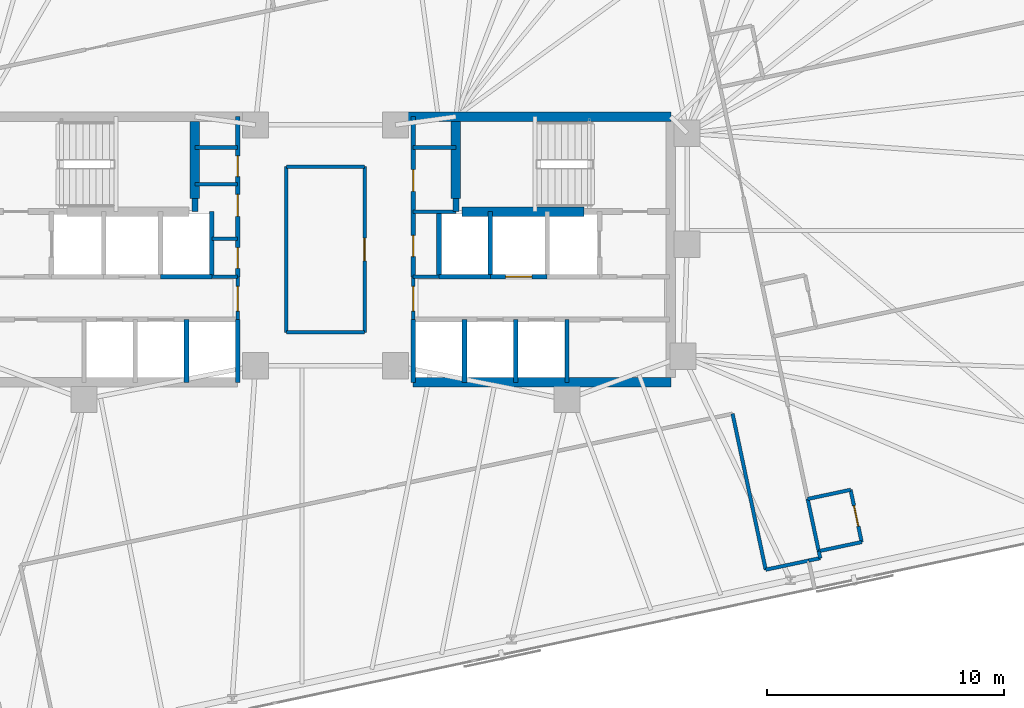
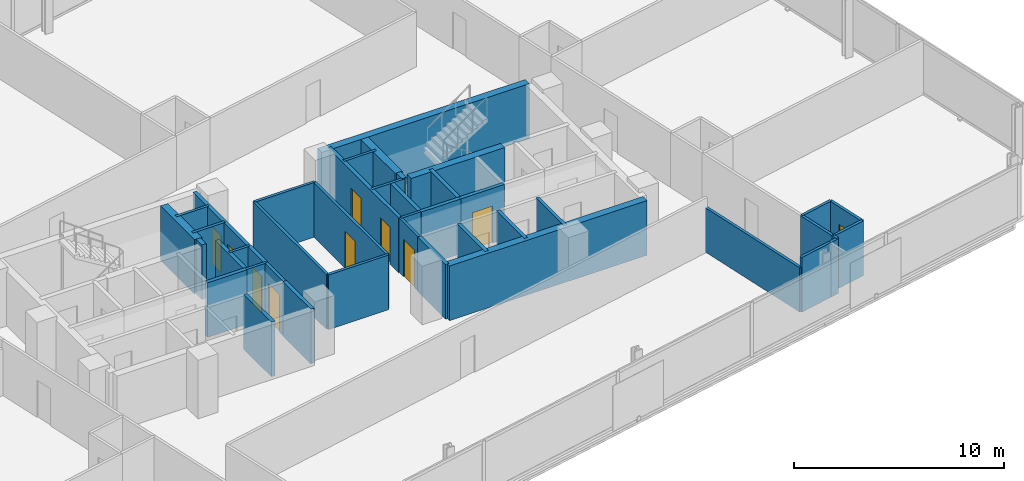
# One storey, part 15 of 19: 42 walls, 10 doors, 10 openings.
"""IFC4 building model written with IfcOpenShell, lengths in metres."""

from ifc_helpers import new_model, si_unit, direction, frame, frame_2d, origin, place, context, subcontext, project, spatial, rectangle, extrude, material, layer, layer_set, type_object, element, fill, save


model = new_model("IFC4")

# Units and contexts
model_context = context("Model", 3, precision=1e-05, world=origin(), true_north=direction((0.0, 1.0)))
body_context = subcontext(model_context, "Body", "Model", "MODEL_VIEW")
ifc_project = project(units=[si_unit("LENGTHUNIT", "METRE"), si_unit("AREAUNIT", "SQUARE_METRE"), si_unit("VOLUMEUNIT", "CUBIC_METRE"), si_unit("PLANEANGLEUNIT", "RADIAN"), si_unit("MASSUNIT", "GRAM", prefix="KILO")], contexts=[model_context])

# Site, building, storey
site_placement = place(None, origin())
site = spatial("IfcSite", under=ifc_project, at=site_placement, CompositionType="ELEMENT")
building_placement = place(site_placement, origin())
building = spatial("IfcBuilding", under=site, at=building_placement, Name="Menara Jurai Vektor", CompositionType="ELEMENT")
storey_placement = place(building_placement, frame((0.0, 0.0, 151.39990234375)))
storey = spatial("IfcBuildingStorey", under=building, at=storey_placement, Name="L38", CompositionType="ELEMENT", Elevation=151.39990234375)

# Walls
ifc_material_1 = material(Name="Concrete C40/50", Category="concrete")
ifc_layer_1 = layer(ifc_material_1, 0.25)
ifc_layer_set_1 = layer_set([ifc_layer_1], Name="Concrete C40/50")
wall_type_1 = type_object("IfcWallType", Name="INT-WALL-CORE-250", PredefinedType="STANDARD", material=ifc_layer_set_1)
for number, where, z_axis, x_axis, name in (
    (1, (-5.5, 1.60009765625, 0.0), (0.0, 0.0, 1.0), (0.0, 1.0, 0.0), "Interior Wall IW-250 L38"),
    (2, (5.5, 1.60009765625, 0.0), (0.0, 0.0, 1.0), (0.0, 1.0, 0.0), "Interior Wall IW-250 L38"),
):
    element("IfcWall", number, at=place(storey_placement, frame(where, z_axis=z_axis, x_axis=x_axis)), inside=storey, type_object=wall_type_1, Name=name, PredefinedType="STANDARD", context=body_context, shape_type="SweptSolid", body=[
        extrude(rectangle(XDim=0.5498046875, YDim=0.25, at=frame_2d((0.27490234375, 0.0))), origin(), (0.0, 0.0, 1.0), 3.175048828125),
    ])

# Wall, opening, door
ifc_material_2 = material(Name="Gypsum Fireboard Partition", Category="gypsum")
ifc_layer_2 = layer(ifc_material_2, 0.14990234375)
ifc_layer_set_2 = layer_set([ifc_layer_2], Name="Gypsum Fireboard Partition")
wall_type_2 = type_object("IfcWallType", Name="INT-WALL-CORR-150", PredefinedType="PARTITIONING", material=ifc_layer_set_2)
wall_1_placement = place(storey_placement, frame((-3.699951171875, -2.949951171875, 0.0), z_axis=(0.0, 0.0, 1.0), x_axis=(0.0, 1.0, 0.0)))
wall_1 = element("IfcWall", 3, at=wall_1_placement, inside=storey, type_object=wall_type_2, Name="Interior Wall IW-150 L38", PredefinedType="PARTITIONING", context=body_context, shape_type="SweptSolid", body=[
    extrude(rectangle(XDim=1.800048828125, YDim=0.14990234375, at=frame_2d((0.89990234375, 0.0))), origin(), (0.0, 0.0, 1.0), 3.175048828125),
])
opening_1_placement = place(wall_1_placement, frame((0.35009765625, 0.0, 0.0)))
opening_1 = element("IfcOpeningElement", 4, at=opening_1_placement, cuts=wall_1, Name="Opening D-L38-LLW", PredefinedType="OPENING", context=body_context, shape_type="SweptSolid", body=[
    extrude(rectangle(XDim=1.050048828125, YDim=2.179931640625, at=frame_2d((0.52490234375, 1.08984375))), frame((0.0, 0.0849609375, 0.0), z_axis=(0.0, -1.0, 0.0), x_axis=(1.0, 0.0, 0.0)), (0.0, 0.0, 1.0), 0.169921875),
])
ifc_material_3 = material(Name="Fire-Rated Timber Door", Category="wood")
door_type_1 = type_object("IfcDoorType", Name="DR-LOBBY-1050", OperationType="NOTDEFINED", PredefinedType="DOOR", material=ifc_material_3)
door_1_placement = place(opening_1_placement, origin())
door_1 = element("IfcDoor", 5, at=door_1_placement, inside=storey, type_object=door_type_1, Name="Lift Lobby Corridor Door W L38", OperationType="SINGLE_SWING_LEFT", OverallHeight=2.179931640625, OverallWidth=1.050048828125, PredefinedType="DOOR", context=body_context, shape_type="SweptSolid", body=[
    extrude(rectangle(XDim=1.050048828125, YDim=2.179931640625, at=frame_2d((0.52490234375, 1.08984375))), frame((0.0, 0.02490234375, 0.0), z_axis=(0.0, -1.0, 0.0), x_axis=(1.0, 0.0, 0.0)), (0.0, 0.0, 1.0), 0.050048828125),
])
fill(opening_1, door_1)

# Wall
wall_2_placement = place(storey_placement, frame((-4.7900390625, -1.14990234375, 0.0), z_axis=(0.0, 0.0, 1.0), x_axis=(1.0, 0.0, 0.0)))
element("IfcWall", 6, at=wall_2_placement, inside=storey, type_object=wall_type_2, Name="Interior Wall IW-150 L38", PredefinedType="PARTITIONING", context=body_context, shape_type="SweptSolid", body=[
    extrude(rectangle(XDim=1.090087890625, YDim=0.14990234375, at=frame_2d((0.544921875, 0.0))), origin(), (0.0, 0.0, 1.0), 3.175048828125),
])

# Wall, opening, door
wall_3_placement = place(storey_placement, frame((3.699951171875, -2.949951171875, 0.0), z_axis=(0.0, 0.0, 1.0), x_axis=(0.0, 1.0, 0.0)))
wall_3 = element("IfcWall", 7, at=wall_3_placement, inside=storey, type_object=wall_type_2, Name="Interior Wall IW-150 L38", PredefinedType="PARTITIONING", context=body_context, shape_type="SweptSolid", body=[
    extrude(rectangle(XDim=1.800048828125, YDim=0.14990234375, at=frame_2d((0.89990234375, 0.0))), origin(), (0.0, 0.0, 1.0), 3.175048828125),
])
opening_2_placement = place(wall_3_placement, frame((0.35009765625, 0.0, 0.0)))
opening_2 = element("IfcOpeningElement", 8, at=opening_2_placement, cuts=wall_3, Name="Opening D-L38-LLE", PredefinedType="OPENING", context=body_context, shape_type="SweptSolid", body=[
    extrude(rectangle(XDim=1.050048828125, YDim=2.179931640625, at=frame_2d((0.52490234375, 1.08984375))), frame((0.0, 0.0849609375, 0.0), z_axis=(0.0, -1.0, 0.0), x_axis=(1.0, 0.0, 0.0)), (0.0, 0.0, 1.0), 0.169921875),
])
door_2_placement = place(opening_2_placement, frame((1.050048828125, 0.0, 0.0), z_axis=(0.0, 0.0, 1.0), x_axis=(-1.0, 0.0, 0.0)))
door_2 = element("IfcDoor", 9, at=door_2_placement, inside=storey, type_object=door_type_1, Name="Lift Lobby Corridor Door E L38", OperationType="SINGLE_SWING_RIGHT", OverallHeight=2.179931640625, OverallWidth=1.050048828125, PredefinedType="DOOR", context=body_context, shape_type="SweptSolid", body=[
    extrude(rectangle(XDim=1.050048828125, YDim=2.179931640625, at=frame_2d((0.52490234375, 1.08984375))), frame((0.0, 0.02490234375, 0.0), z_axis=(0.0, -1.0, 0.0), x_axis=(1.0, 0.0, 0.0)), (0.0, 0.0, 1.0), 0.050048828125),
])
fill(opening_2, door_2)

# Walls
wall_4_placement = place(storey_placement, frame((3.699951171875, -1.14990234375, 0.0), z_axis=(0.0, 0.0, 1.0), x_axis=(1.0, 0.0, 0.0)))
element("IfcWall", 10, at=wall_4_placement, inside=storey, type_object=wall_type_2, Name="Interior Wall IW-150 L38", PredefinedType="PARTITIONING", context=body_context, shape_type="SweptSolid", body=[
    extrude(rectangle(XDim=1.090087890625, YDim=0.14990234375, at=frame_2d((0.544921875, 0.0))), origin(), (0.0, 0.0, 1.0), 3.175048828125),
])
wall_5_placement = place(storey_placement, frame((-5.5, 4.300048828125, 0.0), z_axis=(0.0, 0.0, 1.0), x_axis=(1.0, 0.0, 0.0)))
element("IfcWall", 11, at=wall_5_placement, inside=storey, type_object=wall_type_2, Name="Interior Wall IW-150 L38", PredefinedType="PARTITIONING", context=body_context, shape_type="SweptSolid", body=[
    extrude(rectangle(XDim=1.800048828125, YDim=0.14990234375, at=frame_2d((0.89990234375, 0.0))), origin(), (0.0, 0.0, 1.0), 3.175048828125),
])
wall_6_placement = place(storey_placement, frame((-4.7900390625, 0.449951171875, 0.0), z_axis=(0.0, 0.0, 1.0), x_axis=(1.0, 0.0, 0.0)))
element("IfcWall", 12, at=wall_6_placement, inside=storey, type_object=wall_type_2, Name="Interior Wall IW-150 L38", PredefinedType="PARTITIONING", context=body_context, shape_type="SweptSolid", body=[
    extrude(rectangle(XDim=1.090087890625, YDim=0.14990234375, at=frame_2d((0.544921875, 0.0))), origin(), (0.0, 0.0, 1.0), 3.175048828125),
])
for number, where, z_axis, x_axis, name in (
    (13, (-5.5, 2.75, 0.0), (0.0, 0.0, 1.0), (1.0, 0.0, 0.0), "Interior Wall IW-150 L38"),
    (14, (3.699951171875, 4.300048828125, 0.0), (0.0, 0.0, 1.0), (1.0, 0.0, 0.0), "Interior Wall IW-150 L38"),
    (15, (3.699951171875, 1.60009765625, 0.0), (0.0, 0.0, 1.0), (1.0, 0.0, 0.0), "Interior Wall IW-150 L38"),
):
    element("IfcWall", number, at=place(storey_placement, frame(where, z_axis=z_axis, x_axis=x_axis)), inside=storey, type_object=wall_type_2, Name=name, PredefinedType="PARTITIONING", context=body_context, shape_type="SweptSolid", body=[
        extrude(rectangle(XDim=1.800048828125, YDim=0.14990234375, at=frame_2d((0.89990234375, 0.0))), origin(), (0.0, 0.0, 1.0), 3.175048828125),
    ])
wall_7_placement = place(storey_placement, frame((-1.64990234375, -3.489501953125, 0.0), z_axis=(0.0, 0.0, 1.0), x_axis=(-3.4979712e-05, 0.999999999388, 0.0)))
element("IfcWall", 16, at=wall_7_placement, inside=storey, type_object=wall_type_2, Name="Interior Wall IW-150 L38", PredefinedType="PARTITIONING", context=body_context, shape_type="SweptSolid", body=[
    extrude(rectangle(XDim=6.9794921875, YDim=0.14990234375, at=frame_2d((3.48974609375, 0.0))), origin(), (0.0, 0.0, 1.0), 3.175048828125),
])
wall_8_placement = place(storey_placement, frame((-1.64990234375, -3.489501953125, 0.0), z_axis=(0.0, 0.0, 1.0), x_axis=(0.999999975374, -0.000221926315, 0.0)))
element("IfcWall", 17, at=wall_8_placement, inside=storey, type_object=wall_type_2, Name="Interior Wall IW-150 L38", PredefinedType="PARTITIONING", context=body_context, shape_type="SweptSolid", body=[
    extrude(rectangle(XDim=3.30029296875, YDim=0.14990234375, at=frame_2d((1.650146484375, 0.0))), origin(), (0.0, 0.0, 1.0), 3.175048828125),
])
wall_9_placement = place(storey_placement, frame((-1.650146484375, 3.489990234375, 0.0), z_axis=(0.0, 0.0, 1.0), x_axis=(1.0, 0.0, 0.0)))
element("IfcWall", 18, at=wall_9_placement, inside=storey, type_object=wall_type_2, Name="Interior Wall IW-150 L38", PredefinedType="PARTITIONING", context=body_context, shape_type="SweptSolid", body=[
    extrude(rectangle(XDim=3.300048828125, YDim=0.14990234375, at=frame_2d((1.64990234375, 0.0))), origin(), (0.0, 0.0, 1.0), 3.175048828125),
])

# Wall, opening, door
wall_10_placement = place(storey_placement, frame((1.650390625, -3.490234375, 0.0), z_axis=(0.0, 0.0, 1.0), x_axis=(-6.9952083e-05, 0.999999997553, 0.0)))
wall_10 = element("IfcWall", 19, at=wall_10_placement, inside=storey, type_object=wall_type_2, Name="Interior Wall IW-150 L38", PredefinedType="PARTITIONING", context=body_context, shape_type="SweptSolid", body=[
    extrude(rectangle(XDim=6.980224609375, YDim=0.14990234375, at=frame_2d((3.490234375, 0.0))), origin(), (0.0, 0.0, 1.0), 3.175048828125),
])
opening_3_placement = place(wall_10_placement, frame((3.01513671875, 0.0, 0.0)))
opening_3 = element("IfcOpeningElement", 20, at=opening_3_placement, cuts=wall_10, Name="Opening D38-08", PredefinedType="OPENING", context=body_context, shape_type="SweptSolid", body=[
    extrude(rectangle(XDim=0.949951171875, YDim=2.14990234375, at=frame_2d((0.47509765625, 1.074951171875))), frame((0.0, 0.0849609375, 0.0), z_axis=(0.0, -1.0, 0.0), x_axis=(1.0, 0.0, 0.0)), (0.0, 0.0, 1.0), 0.169921875),
])
ifc_material_4 = material(Name="Solid Core Timber Fire Door", Category="wood")
door_type_2 = type_object("IfcDoorType", Name="DR-ENTRY-950", OperationType="NOTDEFINED", PredefinedType="DOOR", material=ifc_material_4)
door_3_placement = place(opening_3_placement, origin())
door_3 = element("IfcDoor", 21, at=door_3_placement, inside=storey, type_object=door_type_2, Name="Interior Door D38-08", OperationType="SINGLE_SWING_LEFT", OverallHeight=2.14990234375, OverallWidth=0.949951171875, PredefinedType="DOOR", context=body_context, shape_type="SweptSolid", body=[
    extrude(rectangle(XDim=0.949951171875, YDim=2.14990234375, at=frame_2d((0.47509765625, 1.074951171875))), frame((0.0, 0.02490234375, 0.0), z_axis=(0.0, -1.0, 0.0), x_axis=(1.0, 0.0, 0.0)), (0.0, 0.0, 1.0), 0.050048828125),
])
fill(opening_3, door_3)

# Walls
wall_11_placement = place(storey_placement, frame((18.5595703125, -13.498291015625, 0.0), z_axis=(0.0, 0.0, 1.0), x_axis=(0.978160192495, 0.207852442415, 0.0)))
element("IfcWall", 22, at=wall_11_placement, inside=storey, type_object=wall_type_2, Name="Interior Wall IW-150 L38", PredefinedType="PARTITIONING", context=body_context, shape_type="SweptSolid", body=[
    extrude(rectangle(XDim=1.849853515625, YDim=0.14990234375, at=frame_2d((0.9248046875, 0.0))), origin(), (0.0, 0.0, 1.0), 3.175048828125),
])
wall_12_placement = place(storey_placement, frame((20.369140625, -13.11376953125, 0.0), z_axis=(0.0, 0.0, 1.0), x_axis=(0.978143962546, 0.207928806409, 0.0)))
element("IfcWall", 23, at=wall_12_placement, inside=storey, type_object=wall_type_2, Name="Interior Wall IW-150 L38", PredefinedType="PARTITIONING", context=body_context, shape_type="SweptSolid", body=[
    extrude(rectangle(XDim=0.500244140625, YDim=0.14990234375, at=frame_2d((0.25, 0.0))), origin(), (0.0, 0.0, 1.0), 3.175048828125),
])
wall_13_placement = place(storey_placement, frame((20.8583984375, -13.009765625, 0.0), z_axis=(0.0, 0.0, 1.0), x_axis=(-0.208306395052, 0.978063620518, 0.0)))
element("IfcWall", 24, at=wall_13_placement, inside=storey, type_object=wall_type_2, Name="Interior Wall IW-150 L38", PredefinedType="PARTITIONING", context=body_context, shape_type="SweptSolid", body=[
    extrude(rectangle(XDim=0.300048828125, YDim=0.14990234375, at=frame_2d((0.14990234375, 0.0))), origin(), (0.0, 0.0, 1.0), 3.175048828125),
])
wall_14_placement = place(storey_placement, frame((20.7958984375, -12.71630859375, 0.0), z_axis=(0.0, 0.0, 1.0), x_axis=(-0.207891197838, 0.978151956427, 0.0)))
element("IfcWall", 25, at=wall_14_placement, inside=storey, type_object=wall_type_2, Name="Interior Wall IW-150 L38", PredefinedType="PARTITIONING", context=body_context, shape_type="SweptSolid", body=[
    extrude(rectangle(XDim=2.25, YDim=0.14990234375, at=frame_2d((1.125, 0.0))), origin(), (0.0, 0.0, 1.0), 3.175048828125),
])
for number, where, z_axis, x_axis, name in (
    (26, (20.7958984375, -12.71630859375, 0.0), (0.0, 0.0, 1.0), (0.978160192495, 0.207852442415, 0.0), "Interior Wall IW-150 L38"),
    (27, (20.328125, -10.515380859375, 0.0), (0.0, 0.0, 1.0), (0.978160192495, 0.207852442415, 0.0), "Interior Wall IW-150 L38"),
):
    element("IfcWall", number, at=place(storey_placement, frame(where, z_axis=z_axis, x_axis=x_axis)), inside=storey, type_object=wall_type_2, Name=name, PredefinedType="PARTITIONING", context=body_context, shape_type="SweptSolid", body=[
        extrude(rectangle(XDim=1.849853515625, YDim=0.14990234375, at=frame_2d((0.9248046875, 0.0))), origin(), (0.0, 0.0, 1.0), 3.175048828125),
    ])

# Wall, opening, door
wall_15_placement = place(storey_placement, frame((22.60546875, -12.331787109375, 0.0), z_axis=(0.0, 0.0, 1.0), x_axis=(-0.207891197838, 0.978151956427, 0.0)))
wall_15 = element("IfcWall", 28, at=wall_15_placement, inside=storey, type_object=wall_type_2, Name="Interior Wall IW-150 L38", PredefinedType="PARTITIONING", context=body_context, shape_type="SweptSolid", body=[
    extrude(rectangle(XDim=2.25, YDim=0.14990234375, at=frame_2d((1.125, 0.0))), origin(), (0.0, 0.0, 1.0), 3.175048828125),
])
opening_4_placement = place(wall_15_placement, frame((0.68505859375, 0.0, 0.0)))
opening_4 = element("IfcOpeningElement", 29, at=opening_4_placement, cuts=wall_15, Name="Opening D38-22", PredefinedType="OPENING", context=body_context, shape_type="SweptSolid", body=[
    extrude(rectangle(XDim=0.8798828125, YDim=2.14990234375, at=frame_2d((0.43994140625, 1.074951171875))), frame((0.0, 0.0849609375, 0.0), z_axis=(0.0, -1.0, 0.0), x_axis=(1.0, 0.0, 0.0)), (0.0, 0.0, 1.0), 0.169921875),
])
ifc_material_5 = material(Name="Moisture-Resistant Timber Door", Category="wood")
door_type_3 = type_object("IfcDoorType", Name="DR-BATH-880", OperationType="NOTDEFINED", PredefinedType="DOOR", material=ifc_material_5)
door_4_placement = place(opening_4_placement, origin())
door_4 = element("IfcDoor", 30, at=door_4_placement, inside=storey, type_object=door_type_3, Name="Interior Door D38-22", OperationType="SINGLE_SWING_LEFT", OverallHeight=2.14990234375, OverallWidth=0.8798828125, PredefinedType="DOOR", context=body_context, shape_type="SweptSolid", body=[
    extrude(rectangle(XDim=0.8798828125, YDim=2.14990234375, at=frame_2d((0.43994140625, 1.074951171875))), frame((0.0, 0.02490234375, 0.0), z_axis=(0.0, -1.0, 0.0), x_axis=(1.0, 0.0, 0.0)), (0.0, 0.0, 1.0), 0.050048828125),
])
fill(opening_4, door_4)

# Wall
ifc_layer_3 = layer(ifc_material_2, 0.14990234375)
ifc_layer_set_3 = layer_set([ifc_layer_3], Name="Gypsum Fireboard Partition")
wall_type_3 = type_object("IfcWallType", Name="INT-WALL-CORR-150-H2", PredefinedType="PARTITIONING", material=ifc_layer_set_3)
wall_16_placement = place(storey_placement, frame((18.5595703125, -13.498291015625, 0.0), z_axis=(0.0, 0.0, 1.0), x_axis=(-0.207888737749, 0.978152479278, 0.0)))
element("IfcWall", 31, at=wall_16_placement, inside=storey, type_object=wall_type_3, Name="Interior Wall IW-150 L38", PredefinedType="PARTITIONING", context=body_context, shape_type="SweptSolid", body=[
    extrude(rectangle(XDim=6.7197265625, YDim=0.14990234375, at=frame_2d((3.35986328125, 0.0))), origin(), (0.0, 0.0, 1.0), 2.5751953125),
])

# Wall, openings, doors
ifc_layer_4 = layer(ifc_material_1, 0.199951171875)
ifc_layer_set_4 = layer_set([ifc_layer_4], Name="Concrete C40/50")
wall_type_4 = type_object("IfcWallType", Name="INT-WALL-SHAFT-200", PredefinedType="STANDARD", material=ifc_layer_set_4)
wall_17_placement = place(storey_placement, frame((-3.699951171875, -1.14990234375, 0.0), z_axis=(0.0, 0.0, 1.0), x_axis=(0.0, 1.0, 0.0)))
wall_17 = element("IfcWall", 32, at=wall_17_placement, inside=storey, type_object=wall_type_4, Name="Interior Wall IW-200 L38", PredefinedType="STANDARD", context=body_context, shape_type="SweptSolid", body=[
    extrude(rectangle(XDim=6.75, YDim=0.199951171875, at=frame_2d((3.375, 0.0))), origin(), (0.0, 0.0, 1.0), 3.175048828125),
])
opening_5_placement = place(wall_17_placement, frame((0.35009765625, 0.0, 0.0)))
opening_5 = element("IfcOpeningElement", 33, at=opening_5_placement, cuts=wall_17, Name="Opening D38-02", PredefinedType="OPENING", context=body_context, shape_type="SweptSolid", body=[
    extrude(rectangle(XDim=0.8798828125, YDim=2.14990234375, at=frame_2d((0.43994140625, 1.074951171875))), frame((0.0, 0.10986328125, 0.0), z_axis=(0.0, -1.0, 0.0), x_axis=(1.0, 0.0, 0.0)), (0.0, 0.0, 1.0), 0.219970703125),
])
opening_6_placement = place(wall_17_placement, frame((2.550048828125, 0.0, 0.0)))
opening_6 = element("IfcOpeningElement", 34, at=opening_6_placement, cuts=wall_17, Name="Opening D38-03", PredefinedType="OPENING", context=body_context, shape_type="SweptSolid", body=[
    extrude(rectangle(XDim=0.919921875, YDim=2.14990234375, at=frame_2d((0.4599609375, 1.074951171875))), frame((0.0, 0.10986328125, 0.0), z_axis=(0.0, -1.0, 0.0), x_axis=(1.0, 0.0, 0.0)), (0.0, 0.0, 1.0), 0.219970703125),
])
opening_7_placement = place(wall_17_placement, frame((4.219970703125, 0.0, 0.0)))
opening_7 = element("IfcOpeningElement", 35, at=opening_7_placement, cuts=wall_17, Name="Opening D38-04", PredefinedType="OPENING", context=body_context, shape_type="SweptSolid", body=[
    extrude(rectangle(XDim=0.8798828125, YDim=2.14990234375, at=frame_2d((0.43994140625, 1.074951171875))), frame((0.0, 0.10986328125, 0.0), z_axis=(0.0, -1.0, 0.0), x_axis=(1.0, 0.0, 0.0)), (0.0, 0.0, 1.0), 0.219970703125),
])
door_5_placement = place(opening_5_placement, origin())
door_5 = element("IfcDoor", 36, at=door_5_placement, inside=storey, type_object=door_type_2, Name="Interior Door D38-02", OperationType="SINGLE_SWING_LEFT", OverallHeight=2.14990234375, OverallWidth=0.8798828125, PredefinedType="DOOR", context=body_context, shape_type="SweptSolid", body=[
    extrude(rectangle(XDim=0.8798828125, YDim=2.14990234375, at=frame_2d((0.43994140625, 1.074951171875))), frame((0.0, 0.02490234375, 0.0), z_axis=(0.0, -1.0, 0.0), x_axis=(1.0, 0.0, 0.0)), (0.0, 0.0, 1.0), 0.050048828125),
])
fill(opening_5, door_5)
door_6_placement = place(opening_6_placement, origin())
door_6 = element("IfcDoor", 37, at=door_6_placement, inside=storey, type_object=door_type_2, Name="Interior Door D38-03", OperationType="SINGLE_SWING_LEFT", OverallHeight=2.14990234375, OverallWidth=0.919921875, PredefinedType="DOOR", context=body_context, shape_type="SweptSolid", body=[
    extrude(rectangle(XDim=0.919921875, YDim=2.14990234375, at=frame_2d((0.4599609375, 1.074951171875))), frame((0.0, 0.02490234375, 0.0), z_axis=(0.0, -1.0, 0.0), x_axis=(1.0, 0.0, 0.0)), (0.0, 0.0, 1.0), 0.050048828125),
])
fill(opening_6, door_6)
door_7_placement = place(opening_7_placement, origin())
door_7 = element("IfcDoor", 38, at=door_7_placement, inside=storey, type_object=door_type_2, Name="Interior Door D38-04", OperationType="SINGLE_SWING_LEFT", OverallHeight=2.14990234375, OverallWidth=0.8798828125, PredefinedType="DOOR", context=body_context, shape_type="SweptSolid", body=[
    extrude(rectangle(XDim=0.8798828125, YDim=2.14990234375, at=frame_2d((0.43994140625, 1.074951171875))), frame((0.0, 0.02490234375, 0.0), z_axis=(0.0, -1.0, 0.0), x_axis=(1.0, 0.0, 0.0)), (0.0, 0.0, 1.0), 0.050048828125),
])
fill(opening_7, door_7)

# Walls
wall_18_placement = place(storey_placement, frame((-3.699951171875, -5.60009765625, 0.0), z_axis=(0.0, 0.0, 1.0), x_axis=(0.0, 1.0, 0.0)))
element("IfcWall", 39, at=wall_18_placement, inside=storey, type_object=wall_type_4, Name="Interior Wall IW-200 L38", PredefinedType="STANDARD", context=body_context, shape_type="SweptSolid", body=[
    extrude(rectangle(XDim=2.650146484375, YDim=0.199951171875, at=frame_2d((1.3251953125, 0.0))), origin(), (0.0, 0.0, 1.0), 3.175048828125),
])
wall_19_placement = place(storey_placement, frame((-4.7900390625, -1.14990234375, 0.0), z_axis=(0.0, 0.0, 1.0), x_axis=(0.0, 1.0, 0.0)))
element("IfcWall", 40, at=wall_19_placement, inside=storey, type_object=wall_type_4, Name="Interior Wall IW-200 L38", PredefinedType="STANDARD", context=body_context, shape_type="SweptSolid", body=[
    extrude(rectangle(XDim=2.75, YDim=0.199951171875, at=frame_2d((1.375, 0.0))), origin(), (0.0, 0.0, 1.0), 3.175048828125),
])
wall_20_placement = place(storey_placement, frame((-6.949951171875, -1.14990234375, 0.0), z_axis=(0.0, 0.0, 1.0), x_axis=(1.0, 0.0, 0.0)))
element("IfcWall", 41, at=wall_20_placement, inside=storey, type_object=wall_type_4, Name="Interior Wall IW-200 L38", PredefinedType="STANDARD", context=body_context, shape_type="SweptSolid", body=[
    extrude(rectangle(XDim=2.159912109375, YDim=0.199951171875, at=frame_2d((1.080078125, 0.0))), origin(), (0.0, 0.0, 1.0), 3.175048828125),
])
wall_21_placement = place(storey_placement, frame((-5.860107421875, -5.60009765625, 0.0), z_axis=(0.0, 0.0, 1.0), x_axis=(0.0, 1.0, 0.0)))
element("IfcWall", 42, at=wall_21_placement, inside=storey, type_object=wall_type_4, Name="Interior Wall IW-200 L38", PredefinedType="STANDARD", context=body_context, shape_type="SweptSolid", body=[
    extrude(rectangle(XDim=2.650146484375, YDim=0.199951171875, at=frame_2d((1.3251953125, 0.0))), origin(), (0.0, 0.0, 1.0), 3.175048828125),
])

# Wall, openings, doors
wall_22_placement = place(storey_placement, frame((3.699951171875, -1.14990234375, 0.0), z_axis=(0.0, 0.0, 1.0), x_axis=(0.0, 1.0, 0.0)))
wall_22 = element("IfcWall", 43, at=wall_22_placement, inside=storey, type_object=wall_type_4, Name="Interior Wall IW-200 L38", PredefinedType="STANDARD", context=body_context, shape_type="SweptSolid", body=[
    extrude(rectangle(XDim=6.75, YDim=0.199951171875, at=frame_2d((3.375, 0.0))), origin(), (0.0, 0.0, 1.0), 3.175048828125),
])
opening_8_placement = place(wall_22_placement, frame((3.60009765625, 0.0, 0.0)))
opening_8 = element("IfcOpeningElement", 44, at=opening_8_placement, cuts=wall_22, Name="Opening D38-06", PredefinedType="OPENING", context=body_context, shape_type="SweptSolid", body=[
    extrude(rectangle(XDim=0.919921875, YDim=2.14990234375, at=frame_2d((0.4599609375, 1.074951171875))), frame((0.0, 0.10986328125, 0.0), z_axis=(0.0, -1.0, 0.0), x_axis=(1.0, 0.0, 0.0)), (0.0, 0.0, 1.0), 0.219970703125),
])
opening_9_placement = place(wall_22_placement, frame((0.85009765625, 0.0, 0.0)))
opening_9 = element("IfcOpeningElement", 45, at=opening_9_placement, cuts=wall_22, Name="Opening D38-07", PredefinedType="OPENING", context=body_context, shape_type="SweptSolid", body=[
    extrude(rectangle(XDim=0.89990234375, YDim=2.14990234375, at=frame_2d((0.449951171875, 1.074951171875))), frame((0.0, 0.10986328125, 0.0), z_axis=(0.0, -1.0, 0.0), x_axis=(1.0, 0.0, 0.0)), (0.0, 0.0, 1.0), 0.219970703125),
])
door_8_placement = place(opening_8_placement, origin())
door_8 = element("IfcDoor", 46, at=door_8_placement, inside=storey, type_object=door_type_2, Name="Interior Door D38-06", OperationType="SINGLE_SWING_RIGHT", OverallHeight=2.14990234375, OverallWidth=0.919921875, PredefinedType="DOOR", context=body_context, shape_type="SweptSolid", body=[
    extrude(rectangle(XDim=0.919921875, YDim=2.14990234375, at=frame_2d((0.4599609375, 1.074951171875))), frame((0.0, 0.02490234375, 0.0), z_axis=(0.0, -1.0, 0.0), x_axis=(1.0, 0.0, 0.0)), (0.0, 0.0, 1.0), 0.050048828125),
])
fill(opening_8, door_8)
door_9_placement = place(opening_9_placement, origin())
door_9 = element("IfcDoor", 47, at=door_9_placement, inside=storey, type_object=door_type_2, Name="Interior Door D38-07", OperationType="SINGLE_SWING_RIGHT", OverallHeight=2.14990234375, OverallWidth=0.89990234375, PredefinedType="DOOR", context=body_context, shape_type="SweptSolid", body=[
    extrude(rectangle(XDim=0.89990234375, YDim=2.14990234375, at=frame_2d((0.449951171875, 1.074951171875))), frame((0.0, 0.02490234375, 0.0), z_axis=(0.0, -1.0, 0.0), x_axis=(1.0, 0.0, 0.0)), (0.0, 0.0, 1.0), 0.050048828125),
])
fill(opening_9, door_9)

# Walls
wall_23_placement = place(storey_placement, frame((3.699951171875, -5.60009765625, 0.0), z_axis=(0.0, 0.0, 1.0), x_axis=(0.0, 1.0, 0.0)))
element("IfcWall", 48, at=wall_23_placement, inside=storey, type_object=wall_type_4, Name="Interior Wall IW-200 L38", PredefinedType="STANDARD", context=body_context, shape_type="SweptSolid", body=[
    extrude(rectangle(XDim=2.650146484375, YDim=0.199951171875, at=frame_2d((1.3251953125, 0.0))), origin(), (0.0, 0.0, 1.0), 3.175048828125),
])
wall_24_placement = place(storey_placement, frame((6.949951171875, -1.14990234375, 0.0), z_axis=(0.0, 0.0, 1.0), x_axis=(0.0, 1.0, 0.0)))
element("IfcWall", 49, at=wall_24_placement, inside=storey, type_object=wall_type_4, Name="Interior Wall IW-200 L38", PredefinedType="STANDARD", context=body_context, shape_type="SweptSolid", body=[
    extrude(rectangle(XDim=2.75, YDim=0.199951171875, at=frame_2d((1.375, 0.0))), origin(), (0.0, 0.0, 1.0), 3.175048828125),
])

# Wall, opening, door
wall_25_placement = place(storey_placement, frame((6.949951171875, -1.14990234375, 0.0), z_axis=(0.0, 0.0, 1.0), x_axis=(1.0, 0.0, 0.0)))
wall_25 = element("IfcWall", 50, at=wall_25_placement, inside=storey, type_object=wall_type_4, Name="Interior Wall IW-200 L38", PredefinedType="STANDARD", context=body_context, shape_type="SweptSolid", body=[
    extrude(rectangle(XDim=2.400146484375, YDim=0.199951171875, at=frame_2d((1.2001953125, 0.0))), origin(), (0.0, 0.0, 1.0), 3.175048828125),
])
opening_10_placement = place(wall_25_placement, frame((0.64990234375, 0.0, 0.0)))
opening_10 = element("IfcOpeningElement", 51, at=opening_10_placement, cuts=wall_25, Name="Opening LD-L38-SVL2", PredefinedType="OPENING", context=body_context, shape_type="SweptSolid", body=[
    extrude(rectangle(XDim=1.10009765625, YDim=2.14990234375, at=frame_2d((0.550048828125, 1.074951171875))), frame((0.0, 0.10986328125, 0.0), z_axis=(0.0, -1.0, 0.0), x_axis=(1.0, 0.0, 0.0)), (0.0, 0.0, 1.0), 0.219970703125),
])
ifc_material_6 = material(Name="Anodised Stainless Sliding Lift Landing Door", Category="steel")
door_type_4 = type_object("IfcDoorType", Name="DR-LIFT-PASS-1100", OperationType="NOTDEFINED", PredefinedType="DOOR", material=ifc_material_6)
door_10_placement = place(opening_10_placement, origin())
door_10 = element("IfcDoor", 52, at=door_10_placement, inside=storey, type_object=door_type_4, Name="Lift Landing Door SVL2 L38", OperationType="SLIDING_TO_RIGHT", OverallHeight=2.14990234375, OverallWidth=1.10009765625, PredefinedType="DOOR", context=body_context, shape_type="SweptSolid", body=[
    extrude(rectangle(XDim=1.10009765625, YDim=2.14990234375, at=frame_2d((0.550048828125, 1.074951171875))), frame((0.0, 0.02490234375, 0.0), z_axis=(0.0, -1.0, 0.0), x_axis=(1.0, 0.0, 0.0)), (0.0, 0.0, 1.0), 0.050048828125),
])
fill(opening_10, door_10)

# Walls
wall_26_placement = place(storey_placement, frame((4.7900390625, -1.14990234375, 0.0), z_axis=(0.0, 0.0, 1.0), x_axis=(0.0, 1.0, 0.0)))
element("IfcWall", 53, at=wall_26_placement, inside=storey, type_object=wall_type_4, Name="Interior Wall IW-200 L38", PredefinedType="STANDARD", context=body_context, shape_type="SweptSolid", body=[
    extrude(rectangle(XDim=2.75, YDim=0.199951171875, at=frame_2d((1.375, 0.0))), origin(), (0.0, 0.0, 1.0), 3.175048828125),
])
wall_27_placement = place(storey_placement, frame((4.7900390625, -1.14990234375, 0.0), z_axis=(0.0, 0.0, 1.0), x_axis=(1.0, 0.0, 0.0)))
element("IfcWall", 54, at=wall_27_placement, inside=storey, type_object=wall_type_4, Name="Interior Wall IW-200 L38", PredefinedType="STANDARD", context=body_context, shape_type="SweptSolid", body=[
    extrude(rectangle(XDim=2.159912109375, YDim=0.199951171875, at=frame_2d((1.080078125, 0.0))), origin(), (0.0, 0.0, 1.0), 3.175048828125),
])
wall_28_placement = place(storey_placement, frame((5.860107421875, -5.60009765625, 0.0), z_axis=(0.0, 0.0, 1.0), x_axis=(0.0, 1.0, 0.0)))
element("IfcWall", 55, at=wall_28_placement, inside=storey, type_object=wall_type_4, Name="Interior Wall IW-200 L38", PredefinedType="STANDARD", context=body_context, shape_type="SweptSolid", body=[
    extrude(rectangle(XDim=2.650146484375, YDim=0.199951171875, at=frame_2d((1.3251953125, 0.0))), origin(), (0.0, 0.0, 1.0), 3.175048828125),
])
for number, where, z_axis, x_axis, name in (
    (56, (10.179931640625, -5.60009765625, 0.0), (0.0, 0.0, 1.0), (0.0, 1.0, 0.0), "Interior Wall IW-200 L38"),
    (57, (8.02001953125, -5.60009765625, 0.0), (0.0, 0.0, 1.0), (0.0, 1.0, 0.0), "Interior Wall IW-200 L38"),
):
    element("IfcWall", number, at=place(storey_placement, frame(where, z_axis=z_axis, x_axis=x_axis)), inside=storey, type_object=wall_type_4, Name=name, PredefinedType="STANDARD", context=body_context, shape_type="SweptSolid", body=[
        extrude(rectangle(XDim=2.650146484375, YDim=0.179931640625, at=frame_2d((1.3251953125, 0.0))), origin(), (0.0, 0.0, 1.0), 3.175048828125),
    ])
ifc_material_7 = material(Name="Concrete C50/60", Category="concrete")
ifc_layer_5 = layer(ifc_material_7, 0.39990234375)
ifc_layer_set_5 = layer_set([ifc_layer_5], Name="Concrete C50/60")
wall_type_5 = type_object("IfcWallType", Name="STR-WALL-CORE400", PredefinedType="SHEAR", material=ifc_layer_set_5)
wall_29_placement = place(storey_placement, frame((-5.5, 2.14990234375, 0.0), z_axis=(0.0, 0.0, 1.0), x_axis=(0.0, 1.0, 0.0)))
element("IfcWall", 58, at=wall_29_placement, inside=storey, type_object=wall_type_5, Name="Core Shear Wall CW-W-ST L38", PredefinedType="SHEAR", context=body_context, shape_type="SweptSolid", body=[
    extrude(rectangle(XDim=3.25, YDim=0.39990234375, at=frame_2d((1.625, 0.0))), origin(), (0.0, 0.0, 1.0), 3.175048828125),
])
wall_30_placement = place(storey_placement, frame((3.14990234375, 5.60009765625, 0.0), z_axis=(0.0, 0.0, 1.0), x_axis=(1.0, 0.0, 0.0)))
element("IfcWall", 59, at=wall_30_placement, inside=storey, type_object=wall_type_5, Name="Core Shear Wall CW-E-N L38", PredefinedType="SHEAR", context=body_context, shape_type="SweptSolid", body=[
    extrude(rectangle(XDim=11.41015625, YDim=0.39990234375, at=frame_2d((5.705078125, 0.0))), origin(), (0.0, 0.0, 1.0), 3.175048828125),
])
wall_31_placement = place(storey_placement, frame((3.699951171875, -5.60009765625, 0.0), z_axis=(0.0, 0.0, 1.0), x_axis=(1.0, 0.0, 0.0)))
element("IfcWall", 60, at=wall_31_placement, inside=storey, type_object=wall_type_5, Name="Core Shear Wall CW-E-S L38", PredefinedType="SHEAR", context=body_context, shape_type="SweptSolid", body=[
    extrude(rectangle(XDim=10.860107421875, YDim=0.39990234375, at=frame_2d((5.43017578125, 0.0))), origin(), (0.0, 0.0, 1.0), 3.175048828125),
])
wall_32_placement = place(storey_placement, frame((5.5, 2.14990234375, 0.0), z_axis=(0.0, 0.0, 1.0), x_axis=(0.0, 1.0, 0.0)))
element("IfcWall", 61, at=wall_32_placement, inside=storey, type_object=wall_type_5, Name="Core Shear Wall CW-E-ST L38", PredefinedType="SHEAR", context=body_context, shape_type="SweptSolid", body=[
    extrude(rectangle(XDim=3.25, YDim=0.39990234375, at=frame_2d((1.625, 0.0))), origin(), (0.0, 0.0, 1.0), 3.175048828125),
])
wall_33_placement = place(storey_placement, frame((5.75, 1.60009765625, 0.0), z_axis=(0.0, 0.0, 1.0), x_axis=(1.0, 0.0, 0.0)))
element("IfcWall", 62, at=wall_33_placement, inside=storey, type_object=wall_type_5, Name="Core Shear Wall CW-E-STS L38", PredefinedType="SHEAR", context=body_context, shape_type="SweptSolid", body=[
    extrude(rectangle(XDim=5.14990234375, YDim=0.39990234375, at=frame_2d((2.574951171875, 0.0))), origin(), (0.0, 0.0, 1.0), 3.175048828125),
])

save(model, "model.ifc")
